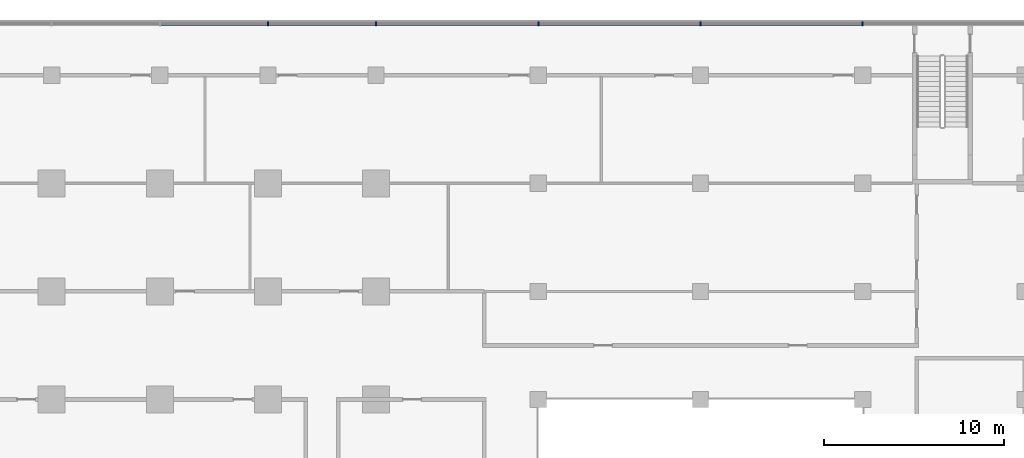
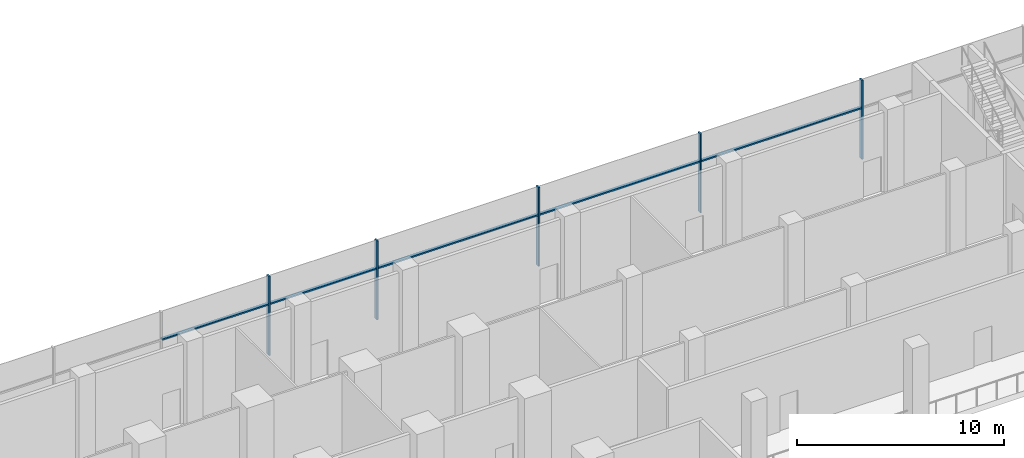
# One storey, part 8 of 22: 10 members, 1 element without a shape of its own.
"""IFC4 building model written with IfcOpenShell, lengths in metres."""

import ifcopenshell
import ifcopenshell.guid

model = None  # the IFC model being written
_history = None  # IfcOwnerHistory: only IFC2X3 demands one
_inside = {}  # id of a spatial element -> (the spatial element, [elements in it])
_under = {}  # id of a project, library or spatial element -> (it, [spatial elements below it])
_declared = {}  # id of a project -> (the project, [libraries it declares])
_typed = {}  # id of a type object -> (the type object, [elements of that type])
_made_of = {}  # id of a material, layer set ... -> (it, [elements and type objects made of it])


def new_model(schema):
    """Start an empty IFC model of exactly this schema.

    Asked for "IFC4X3", IfcOpenShell would pick the latest addendum, in which some entities
    have other attributes; the version numbers below select the first issue.
    IFC2X3 requires an IfcOwnerHistory on every rooted entity: one is made here for all.
    """
    global model, _history
    if schema == "IFC4X3":
        model = ifcopenshell.file(schema_version=(4, 3, 0, 0))
    else:
        model = ifcopenshell.file(schema=schema)
    _inside.clear()
    _under.clear()
    _declared.clear()
    _typed.clear()
    _made_of.clear()
    _history = None
    if model.schema == "IFC2X3":
        org = make("IfcOrganization", Name="unknown")
        user = make(
            "IfcPersonAndOrganization",
            ThePerson=make("IfcPerson", FamilyName="unknown"),
            TheOrganization=org,
        )
        app = make(
            "IfcApplication",
            ApplicationDeveloper=org,
            Version="unknown",
            ApplicationFullName="unknown",
            ApplicationIdentifier="unknown",
        )
        _history = make(
            "IfcOwnerHistory",
            OwningUser=user,
            OwningApplication=app,
            ChangeAction="ADDED",
            CreationDate=0,
        )
    return model


def make(cls, **values):
    """One entity of the class cls with the attributes given. An attribute that is None is left unset."""
    return model.create_entity(
        cls, **{name: value for name, value in values.items() if value is not None}
    )


def rooted(cls, **values):
    """An entity with a GlobalId (a new one), such as an element, a storey or a relation."""
    return make(cls, GlobalId=ifcopenshell.guid.new(), OwnerHistory=_history, **values)


def si_unit(unit_type, name, prefix=None):
    """IfcSIUnit, for example si_unit("LENGTHUNIT", "METRE", prefix="MILLI")."""
    return make("IfcSIUnit", UnitType=unit_type, Prefix=prefix, Name=name)


def assignment(units):
    """IfcUnitAssignment: the units of a project."""
    return None if units is None else make("IfcUnitAssignment", Units=units)


def point(xyz):
    """IfcCartesianPoint."""
    return None if xyz is None else make("IfcCartesianPoint", Coordinates=xyz)


def direction(xyz):
    """IfcDirection."""
    return None if xyz is None else make("IfcDirection", DirectionRatios=xyz)


def frame(location, z_axis=None, x_axis=None):
    """IfcAxis2Placement3D, a coordinate frame: its origin and axes. An axis left out is left unset."""
    return make(
        "IfcAxis2Placement3D",
        Location=point(location),
        Axis=direction(z_axis),
        RefDirection=direction(x_axis),
    )


def frame_2d(location, x_axis=None):
    """IfcAxis2Placement2D, a coordinate frame in the plane: its origin and x axis."""
    return make(
        "IfcAxis2Placement2D", Location=point(location), RefDirection=direction(x_axis)
    )


def origin():
    """The frame at (0, 0, 0) with its axes left unset."""
    return frame((0.0, 0.0, 0.0))


def origin_2d():
    """The frame at (0, 0) in the plane with its x axis left unset."""
    return frame_2d((0.0, 0.0))


def place(relative_to, where):
    """IfcLocalPlacement: puts the frame where relative to a parent placement (None: the world)."""
    return make(
        "IfcLocalPlacement", PlacementRelTo=relative_to, RelativePlacement=where
    )


def context(
    kind, dimensions, precision=None, world=None, true_north=None, identifier=None
):
    """IfcGeometricRepresentationContext, for example the 3D "Model" context."""
    return make(
        "IfcGeometricRepresentationContext",
        ContextIdentifier=identifier,
        ContextType=kind,
        CoordinateSpaceDimension=dimensions,
        Precision=precision,
        WorldCoordinateSystem=world,
        TrueNorth=true_north,
    )


def subcontext(parent, identifier, kind, view, scale=None):
    """IfcGeometricRepresentationSubContext, for example "Body" below "Model"."""
    return make(
        "IfcGeometricRepresentationSubContext",
        ContextIdentifier=identifier,
        ContextType=kind,
        ParentContext=parent,
        TargetScale=scale,
        TargetView=view,
    )


def project(units=None, contexts=None):
    """IfcProject with its units and contexts."""
    return rooted(
        "IfcProject",
        Name="project",
        RepresentationContexts=contexts,
        UnitsInContext=assignment(units),
    )


def spatial(cls, under=None, at=None, **own):
    """A site, building, storey or space (cls), placed at a placement, below another one or the project."""
    s = rooted(cls, ObjectPlacement=at, **own)
    if under is not None:
        _under.setdefault(under.id(), (under, []))[1].append(s)
    return s


def profile(cls, at=None, kind="AREA", **sizes):
    """A parametric profile (cls). Its sizes go by their IFC names, for example OverallWidth=200.0."""
    return make(cls, ProfileType=kind, Position=at, **sizes)


def rectangle(**sizes):
    """IfcRectangleProfileDef."""
    return profile("IfcRectangleProfileDef", **sizes)


def extrude(swept, where, along, depth):
    """IfcExtrudedAreaSolid: the profile swept, set in the frame where, extruded along a direction by depth."""
    return make(
        "IfcExtrudedAreaSolid",
        SweptArea=swept,
        Position=where,
        ExtrudedDirection=direction(along),
        Depth=depth,
    )


def shape(context_of_items, identifier, shape_type, items):
    """IfcShapeRepresentation: the items that make up one representation, for example the "Body"."""
    return make(
        "IfcShapeRepresentation",
        ContextOfItems=context_of_items,
        RepresentationIdentifier=identifier,
        RepresentationType=shape_type,
        Items=items,
    )


def material(Name=None, Category=None):
    """IfcMaterial."""
    return make("IfcMaterial", Name=Name, Category=Category)


def material_profile(
    of_material, cross_section, Name=None, Category=None, Priority=None
):
    """IfcMaterialProfile: a cross section and its material."""
    return make(
        "IfcMaterialProfile",
        Name=Name,
        Material=of_material,
        Profile=cross_section,
        Priority=Priority,
        Category=Category,
    )


def profile_set(profiles, Name=None, composite=None):
    """IfcMaterialProfileSet."""
    return make(
        "IfcMaterialProfileSet",
        Name=Name,
        MaterialProfiles=profiles,
        CompositeProfile=composite,
    )


def made_of(thing, what):
    """Note that an element or type object is made of a material, layer set ...; save() writes the relation."""
    if what is not None:
        _made_of.setdefault(what.id(), (what, []))[1].append(thing)
    return thing


def type_object(cls, material=None, **own):
    """A type object (cls), such as IfcWallType, which elements share."""
    return made_of(rooted(cls, **own), material)


def element(
    cls,
    number,
    at=None,
    inside=None,
    cuts=None,
    type_object=None,
    material=None,
    context=None,
    identifier="Body",
    shape_type=None,
    held_by="IfcProductDefinitionShape",
    body=None,
    shapes=None,
    **own,
):
    """One element of the class cls, such as IfcWall. Its Tag is "e" and its number.

    at: its placement. inside: the storey or other place that contains it. cuts: it is an
    opening in that element (IfcRelVoidsElement). A single representation is given by context,
    identifier, shape_type and body (its items); several are given by shapes. held_by: the class
    of the entity that holds the representations. save() writes the other relations.
    """
    e = rooted(cls, Tag="e%d" % number, ObjectPlacement=at, **own)
    if body is not None:
        shapes = [shape(context, identifier, shape_type, body)]
    if shapes is not None:
        e.Representation = make(held_by, Representations=shapes)
    if inside is not None:
        _inside.setdefault(inside.id(), (inside, []))[1].append(e)
    if cuts is not None:
        rooted(
            "IfcRelVoidsElement", RelatingBuildingElement=cuts, RelatedOpeningElement=e
        )
    if type_object is not None:
        _typed.setdefault(type_object.id(), (type_object, []))[1].append(e)
    return made_of(e, material)


def aggregate(whole, parts):
    """IfcRelAggregates: a whole, such as a stair, and the parts it consists of."""
    return rooted("IfcRelAggregates", RelatingObject=whole, RelatedObjects=parts)


def save(model, path):
    """Write the relations noted so far, then the file.

    IfcRelAggregates (storeys below a building ...), IfcRelContainedInSpatialStructure (elements
    in a storey), IfcRelDefinesByType, IfcRelAssociatesMaterial and IfcRelDeclares: one each for
    every whole, place, type object, material and project.
    """
    for whole, parts in _under.values():
        aggregate(whole, parts)
    for where, things in _inside.values():
        rooted(
            "IfcRelContainedInSpatialStructure",
            RelatedElements=things,
            RelatingStructure=where,
        )
    for kind, things in _typed.values():
        rooted("IfcRelDefinesByType", RelatedObjects=things, RelatingType=kind)
    for what, things in _made_of.values():
        rooted("IfcRelAssociatesMaterial", RelatedObjects=things, RelatingMaterial=what)
    for by, libraries in _declared.values():
        rooted("IfcRelDeclares", RelatingContext=by, RelatedDefinitions=libraries)
    model.write(path)


model = new_model("IFC4")

# Units and contexts
model_context = context("Model", 3, precision=1e-05, world=origin(), true_north=direction((0.0, 1.0)))
body_context = subcontext(model_context, "Body", "Model", "MODEL_VIEW")
ifc_project = project(units=[si_unit("LENGTHUNIT", "METRE"), si_unit("AREAUNIT", "SQUARE_METRE"), si_unit("VOLUMEUNIT", "CUBIC_METRE"), si_unit("PLANEANGLEUNIT", "RADIAN"), si_unit("MASSUNIT", "GRAM", prefix="KILO")], contexts=[model_context])

# Site, building, storey
site_placement = place(None, origin())
site = spatial("IfcSite", under=ifc_project, at=site_placement, CompositionType="ELEMENT")
building_placement = place(site_placement, origin())
building = spatial("IfcBuilding", under=site, at=building_placement, Name="Finial Court Residences", CompositionType="ELEMENT")
storey_placement = place(building_placement, frame((0.0, 0.0, 13.5)))
storey = spatial("IfcBuildingStorey", under=building, at=storey_placement, Name="L02", CompositionType="ELEMENT", Elevation=13.5)

# Curtain wall, members
ifc_material = material(Name="Bronze anodised aluminium", Category="aluminium")
curtain_wall_type = type_object("IfcCurtainWallType", Name="Podium curtain wall", PredefinedType="NOTDEFINED", material=ifc_material)
curtain_wall_placement = place(storey_placement, origin())
curtain_wall = element("IfcCurtainWall", 1, at=curtain_wall_placement, inside=storey, type_object=curtain_wall_type, Name="E-L02-CW-N1", PredefinedType="NOTDEFINED")
ifc_material_profile_1 = material_profile(ifc_material, rectangle(XDim=0.22509765625, YDim=0.080078125, at=origin_2d()), Name="CW5 mullion 80 x 225")
ifc_profile_set_1 = profile_set([ifc_material_profile_1], Name="Bronze anodised aluminium")
member_type_1 = type_object("IfcMemberType", Name="CW5 mullion 80 x 225", PredefinedType="MULLION", material=ifc_profile_set_1)
member_1_placement = place(storey_placement, frame((16.5, 34.35009765625, 0.0), z_axis=(0.0, 0.0, 1.0), x_axis=(0.0, 1.0, 0.0)))
member_1 = element("IfcMember", 2, at=member_1_placement, type_object=member_type_1, Name="CW5 mullion 9", PredefinedType="MULLION", context=body_context, shape_type="SweptSolid", body=[
    extrude(rectangle(XDim=0.22509765625, YDim=0.080078125, at=origin_2d()), origin(), (0.0, 0.0, 1.0), 4.64990234375),
])
member_2_placement = place(storey_placement, frame((22.5, 34.35009765625, 0.0), z_axis=(0.0, 0.0, 1.0), x_axis=(0.0, 1.0, 0.0)))
member_2 = element("IfcMember", 3, at=member_2_placement, type_object=member_type_1, Name="CW5 mullion 10", PredefinedType="MULLION", context=body_context, shape_type="SweptSolid", body=[
    extrude(rectangle(XDim=0.22509765625, YDim=0.080078125, at=origin_2d()), origin(), (0.0, 0.0, 1.0), 4.64990234375),
])
member_3_placement = place(storey_placement, frame((31.5, 34.35009765625, 0.0), z_axis=(0.0, 0.0, 1.0), x_axis=(0.0, 1.0, 0.0)))
member_3 = element("IfcMember", 4, at=member_3_placement, type_object=member_type_1, Name="CW5 mullion 11", PredefinedType="MULLION", context=body_context, shape_type="SweptSolid", body=[
    extrude(rectangle(XDim=0.22509765625, YDim=0.080078125, at=origin_2d()), origin(), (0.0, 0.0, 1.0), 4.64990234375),
])
member_4_placement = place(storey_placement, frame((40.5, 34.35009765625, 0.0), z_axis=(0.0, 0.0, 1.0), x_axis=(0.0, 1.0, 0.0)))
member_4 = element("IfcMember", 5, at=member_4_placement, type_object=member_type_1, Name="CW5 mullion 12", PredefinedType="MULLION", context=body_context, shape_type="SweptSolid", body=[
    extrude(rectangle(XDim=0.22509765625, YDim=0.080078125, at=origin_2d()), origin(), (0.0, 0.0, 1.0), 4.64990234375),
])
member_5_placement = place(storey_placement, frame((49.5, 34.35009765625, 0.0), z_axis=(0.0, 0.0, 1.0), x_axis=(0.0, 1.0, 0.0)))
member_5 = element("IfcMember", 6, at=member_5_placement, type_object=member_type_1, Name="CW5 mullion 13", PredefinedType="MULLION", context=body_context, shape_type="SweptSolid", body=[
    extrude(rectangle(XDim=0.22509765625, YDim=0.080078125, at=origin_2d()), origin(), (0.0, 0.0, 1.0), 4.64990234375),
])
ifc_material_profile_2 = material_profile(ifc_material, rectangle(XDim=0.175048828125, YDim=0.080078125, at=origin_2d()), Name="CW5 transom 80 x 175")
ifc_profile_set_2 = profile_set([ifc_material_profile_2], Name="Bronze anodised aluminium")
member_type_2 = type_object("IfcMemberType", Name="CW5 transom 80 x 175", PredefinedType="USERDEFINED", material=ifc_profile_set_2)
member_6_placement = place(storey_placement, frame((10.5400390625, 34.35009765625, 3.0), z_axis=(1.0, 0.0, 0.0), x_axis=(0.0, 1.0, 0.0)))
member_6 = element("IfcMember", 7, at=member_6_placement, type_object=member_type_2, Name="CW5 transom 8.1", ObjectType="TRANSOM", PredefinedType="USERDEFINED", context=body_context, shape_type="SweptSolid", body=[
    extrude(rectangle(XDim=0.175048828125, YDim=0.080078125, at=origin_2d()), origin(), (0.0, 0.0, 1.0), 5.919921875),
])
member_7_placement = place(storey_placement, frame((16.5400390625, 34.35009765625, 3.0), z_axis=(1.0, 0.0, 0.0), x_axis=(0.0, 1.0, 0.0)))
member_7 = element("IfcMember", 8, at=member_7_placement, type_object=member_type_2, Name="CW5 transom 9.1", ObjectType="TRANSOM", PredefinedType="USERDEFINED", context=body_context, shape_type="SweptSolid", body=[
    extrude(rectangle(XDim=0.175048828125, YDim=0.080078125, at=origin_2d()), origin(), (0.0, 0.0, 1.0), 5.919921875),
])
member_8_placement = place(storey_placement, frame((22.5400390625, 34.35009765625, 3.0), z_axis=(1.0, 0.0, 0.0), x_axis=(0.0, 1.0, 0.0)))
member_8 = element("IfcMember", 9, at=member_8_placement, type_object=member_type_2, Name="CW5 transom 10.1", ObjectType="TRANSOM", PredefinedType="USERDEFINED", context=body_context, shape_type="SweptSolid", body=[
    extrude(rectangle(XDim=0.175048828125, YDim=0.080078125, at=origin_2d()), origin(), (0.0, 0.0, 1.0), 8.919921875),
])
member_9_placement = place(storey_placement, frame((31.5400390625, 34.35009765625, 3.0), z_axis=(1.0, 0.0, 0.0), x_axis=(0.0, 1.0, 0.0)))
member_9 = element("IfcMember", 10, at=member_9_placement, type_object=member_type_2, Name="CW5 transom 11.1", ObjectType="TRANSOM", PredefinedType="USERDEFINED", context=body_context, shape_type="SweptSolid", body=[
    extrude(rectangle(XDim=0.175048828125, YDim=0.080078125, at=origin_2d()), origin(), (0.0, 0.0, 1.0), 8.919921875),
])
member_10_placement = place(storey_placement, frame((40.5400390625, 34.35009765625, 3.0), z_axis=(1.0, 0.0, 0.0), x_axis=(0.0, 1.0, 0.0)))
member_10 = element("IfcMember", 11, at=member_10_placement, type_object=member_type_2, Name="CW5 transom 12.1", ObjectType="TRANSOM", PredefinedType="USERDEFINED", context=body_context, shape_type="SweptSolid", body=[
    extrude(rectangle(XDim=0.175048828125, YDim=0.080078125, at=origin_2d()), origin(), (0.0, 0.0, 1.0), 8.919921875),
])
aggregate(curtain_wall, [member_1, member_2, member_3, member_4, member_5, member_6, member_7, member_8, member_9, member_10])

save(model, "model.ifc")
